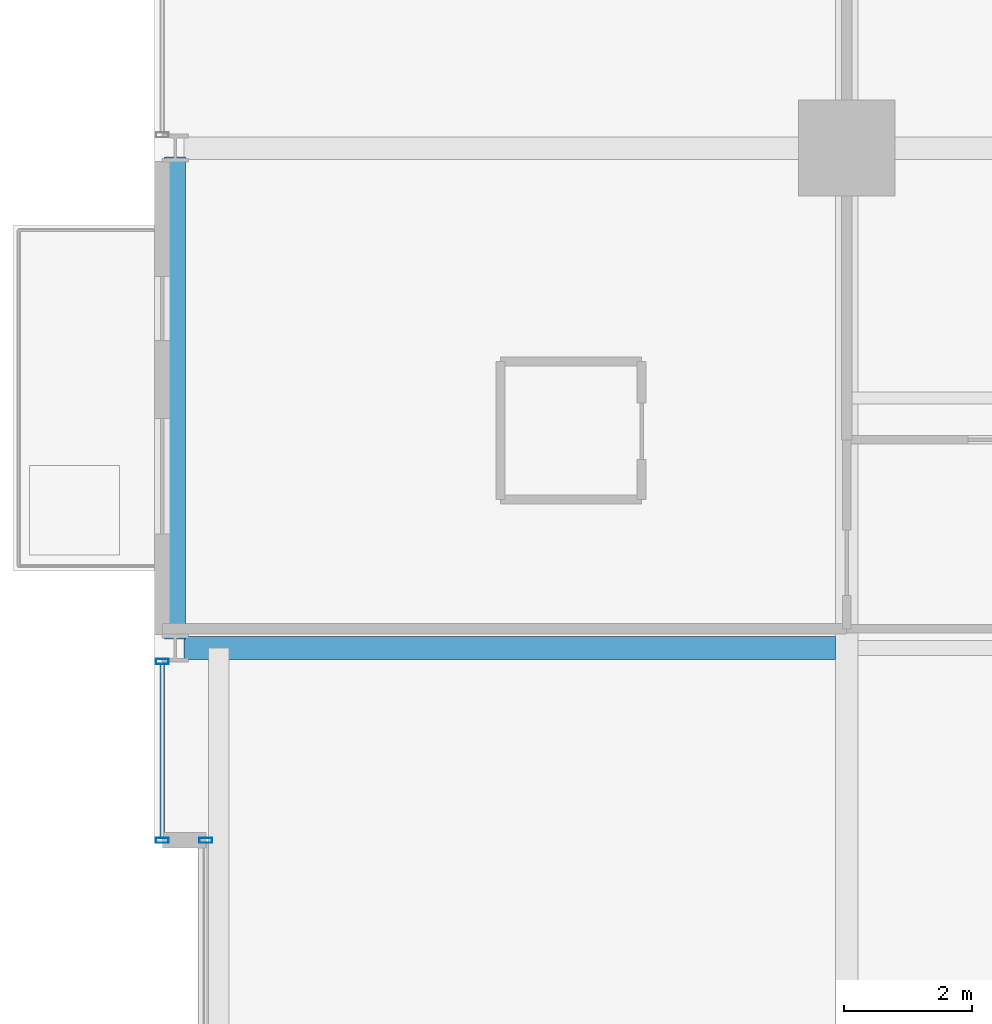
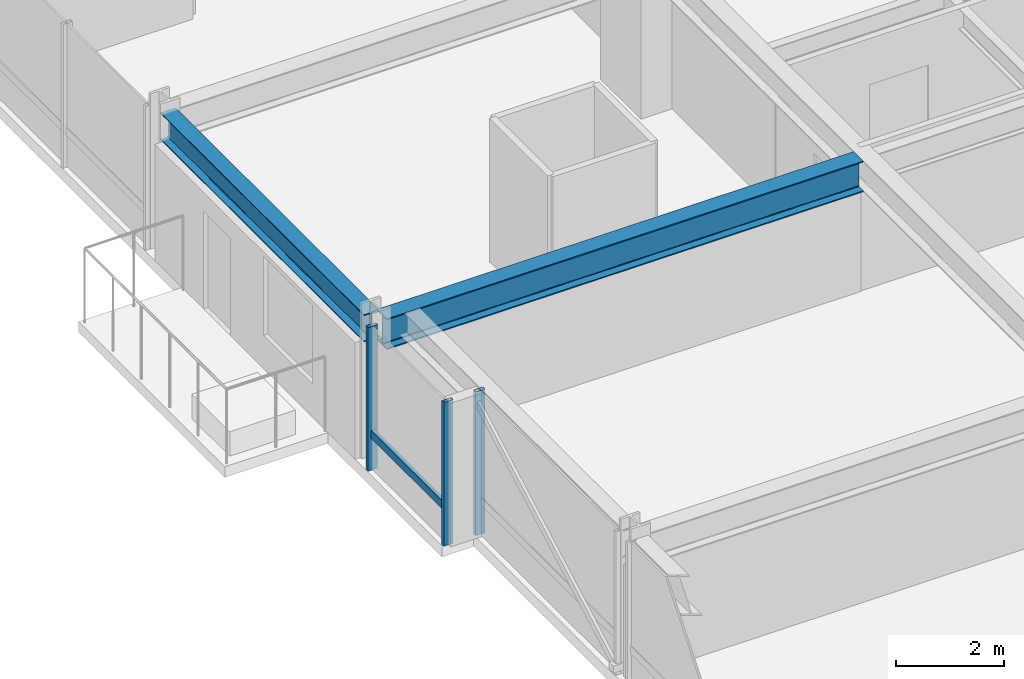
# One storey, part 16 of 35: 4 members, 2 beams, 2 elements without a shape of their own.
"""IFC4 building model written with IfcOpenShell, lengths in metres."""

from ifc_helpers import new_model, si_unit, direction, frame, origin, origin_2d, place, context, subcontext, project, spatial, hollow_rectangle, i_section, extrude, material, layer, layer_set, material_profile, profile_set, type_object, element, aggregate, save


model = new_model("IFC4")

# Units and contexts
model_context = context("Model", 3, precision=1e-05, world=origin(), true_north=direction((0.0, 1.0)))
body_context = subcontext(model_context, "Body", "Model", "MODEL_VIEW")
ifc_project = project(units=[si_unit("LENGTHUNIT", "METRE"), si_unit("AREAUNIT", "SQUARE_METRE"), si_unit("VOLUMEUNIT", "CUBIC_METRE"), si_unit("PLANEANGLEUNIT", "RADIAN"), si_unit("MASSUNIT", "GRAM", prefix="KILO")], contexts=[model_context])

# Site, building, storey
site_placement = place(None, origin())
site = spatial("IfcSite", under=ifc_project, at=site_placement, CompositionType="ELEMENT")
building_placement = place(site_placement, origin())
building = spatial("IfcBuilding", under=site, at=building_placement, Name="Drelvath Grand Hotel", CompositionType="ELEMENT")
storey_placement = place(building_placement, frame((0.0, 0.0, 130.300048828125)))
storey = spatial("IfcBuildingStorey", under=building, at=storey_placement, Name="L33", CompositionType="ELEMENT", Elevation=130.300048828125)

# Curtain wall, member
ifc_material_1 = material(Name="Champagne Bronze Anodised Aluminium Frame", Category="aluminium")
ifc_layer = layer(ifc_material_1, 0.199951171875)
ifc_layer_set = layer_set([ifc_layer], Name="Champagne Bronze Anodised Aluminium Frame")
curtain_wall_type = type_object("IfcCurtainWallType", Name="Stick Curtain Wall CW-03 Champagne Bronze Mid-Rise", PredefinedType="NOTDEFINED", material=ifc_layer_set)
curtain_wall_1_placement = place(storey_placement, origin())
curtain_wall_1 = element("IfcCurtainWall", 1, at=curtain_wall_1_placement, inside=storey, type_object=curtain_wall_type, Name="L33 CW-03 Curtain Wall CW03-L33-WN1", PredefinedType="NOTDEFINED")
ifc_material_profile_1 = material_profile(ifc_material_1, hollow_rectangle(XDim=0.074951171875, YDim=0.179931640625, WallThickness=0.0048828125, at=origin_2d()), Name="HSS180X75X5")
ifc_profile_set_1 = profile_set([ifc_material_profile_1], Name="Champagne Bronze Anodised Aluminium Frame")
member_type_1 = type_object("IfcMemberType", Name="Curtain Wall Horizontal Transom CW-03 HSS180X75X5", PredefinedType="USERDEFINED", material=ifc_profile_set_1)
member_1_placement = place(storey_placement, frame((-26.8798828125, 32.43994140625, 0.81005859375), z_axis=(0.0, 1.0, 0.0), x_axis=(-1.0, 0.0, 0.0)))
member_1 = element("IfcMember", 2, at=member_1_placement, type_object=member_type_1, Name="CW03-L33-WN1 Sill Transom", ObjectType="TRANSOM", PredefinedType="USERDEFINED", context=body_context, shape_type="SweptSolid", body=[
    extrude(hollow_rectangle(XDim=0.074951171875, YDim=0.179931640625, WallThickness=0.0048828125, at=origin_2d()), origin(), (0.0, 0.0, 1.0), 2.710693359375),
])

curtain_wall_2_placement = place(storey_placement, origin())
curtain_wall_2 = element("IfcCurtainWall", 3, at=curtain_wall_2_placement, inside=storey, type_object=curtain_wall_type, Name="L33 CW-03 Curtain Wall CW03-L33-WM2", PredefinedType="NOTDEFINED")
ifc_material_profile_2 = material_profile(ifc_material_1, hollow_rectangle(XDim=0.080078125, YDim=0.199951171875, WallThickness=0.0048828125, at=origin_2d()), Name="HSS200X80X5")
ifc_profile_set_2 = profile_set([ifc_material_profile_2], Name="Champagne Bronze Anodised Aluminium Frame")
member_type_2 = type_object("IfcMemberType", Name="Curtain Wall Vertical Mullion CW-03 HSS200X80X5", PredefinedType="MULLION", material=ifc_profile_set_2)
member_2_placement = place(storey_placement, frame((-26.199951171875, 32.39990234375, 0.0), z_axis=(0.0, 0.0, 1.0), x_axis=(0.0, 1.0, 0.0)))
member_2 = element("IfcMember", 4, at=member_2_placement, type_object=member_type_2, Name="CW03-L33-WM2 Mullion 2", PredefinedType="MULLION", context=body_context, shape_type="SweptSolid", body=[
    extrude(hollow_rectangle(XDim=0.080078125, YDim=0.199951171875, WallThickness=0.0048828125, at=origin_2d()), origin(), (0.0, 0.0, 1.0), 3.239990234375),
])
aggregate(curtain_wall_2, [member_2])

# Member
member_3_placement = place(storey_placement, frame((-26.8798828125, 32.39990234375, 0.0), z_axis=(0.0, 0.0, 1.0), x_axis=(0.0, 1.0, 0.0)))
member_3 = element("IfcMember", 5, at=member_3_placement, type_object=member_type_2, Name="CW03-L33-WN1 Mullion 1", PredefinedType="MULLION", context=body_context, shape_type="SweptSolid", body=[
    extrude(hollow_rectangle(XDim=0.080078125, YDim=0.199951171875, WallThickness=0.0048828125, at=origin_2d()), origin(), (0.0, 0.0, 1.0), 3.239990234375),
])

member_4_placement = place(storey_placement, frame((-26.8798828125, 35.190673828125, 0.0), z_axis=(0.0, 0.0, 1.0), x_axis=(0.0, 1.0, 0.0)))
member_4 = element("IfcMember", 6, at=member_4_placement, type_object=member_type_2, Name="CW03-L33-WN1 Mullion 2", PredefinedType="MULLION", context=body_context, shape_type="SweptSolid", body=[
    extrude(hollow_rectangle(XDim=0.080078125, YDim=0.199951171875, WallThickness=0.0048828125, at=origin_2d()), origin(), (0.0, 0.0, 1.0), 3.239990234375),
])

aggregate(curtain_wall_1, [member_3, member_4, member_1])

# Beams
ifc_material_2 = material(Name="Steel ASTM A992 Gr 50", Category="steel")
ifc_material_profile_3 = material_profile(ifc_material_2, i_section(OverallWidth=0.323974609375, OverallDepth=0.611083984375, WebThickness=0.0126953125, FlangeThickness=0.01904296875, FilletRadius=0.02197265625, at=origin_2d()), Name="W24X104")
ifc_profile_set_3 = profile_set([ifc_material_profile_3], Name="Steel ASTM A992 Gr 50")
beam_type_1 = type_object("IfcBeamType", Name="Perimeter Spandrel Beam W24X104", PredefinedType="SPANDREL", material=ifc_profile_set_3)
beam_1_placement = place(storey_placement, frame((-26.679931640625, 35.5400390625, 2.934326171875), z_axis=(0.0, 1.0, 0.0), x_axis=(-1.0, 0.0, 0.0)))
element("IfcBeam", 7, at=beam_1_placement, inside=storey, type_object=beam_type_1, Name="L33 Spandrel West N", PredefinedType="SPANDREL", context=body_context, shape_type="SweptSolid", body=[
    extrude(i_section(OverallWidth=0.323974609375, OverallDepth=0.611083984375, WebThickness=0.0126953125, FlangeThickness=0.01904296875, FilletRadius=0.02197265625, at=origin_2d()), origin(), (0.0, 0.0, 1.0), 7.52001953125),
])
ifc_material_profile_4 = material_profile(ifc_material_2, i_section(OverallWidth=0.354736328125, OverallDepth=0.695556640625, WebThickness=0.015380859375, FlangeThickness=0.025146484375, FilletRadius=0.02392578125, at=origin_2d()), Name="W27X146")
ifc_profile_set_4 = profile_set([ifc_material_profile_4], Name="Steel ASTM A992 Gr 50")
beam_type_2 = type_object("IfcBeamType", Name="Primary Floor Girder W27X146", PredefinedType="BEAM", material=ifc_profile_set_4)
beam_2_placement = place(storey_placement, frame((-26.5400390625, 35.39990234375, 2.892333984375), z_axis=(1.0, 0.0, 0.0), x_axis=(0.0, 1.0, 0.0)))
element("IfcBeam", 8, at=beam_2_placement, inside=storey, type_object=beam_type_2, Name="L33 West Wing Girder F", PredefinedType="BEAM", context=body_context, shape_type="SweptSolid", body=[
    extrude(i_section(OverallWidth=0.354736328125, OverallDepth=0.695556640625, WebThickness=0.015380859375, FlangeThickness=0.025146484375, FilletRadius=0.02392578125, at=origin_2d()), origin(), (0.0, 0.0, 1.0), 10.16259765625),
])

save(model, "model.ifc")
